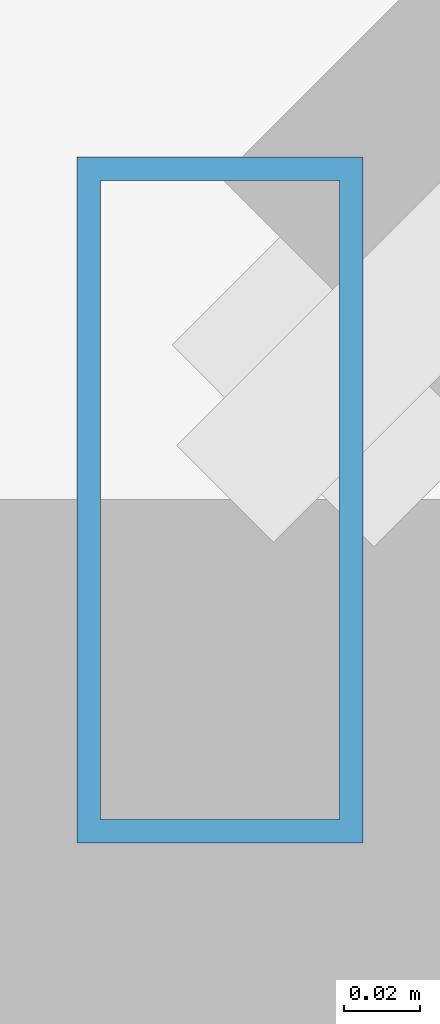
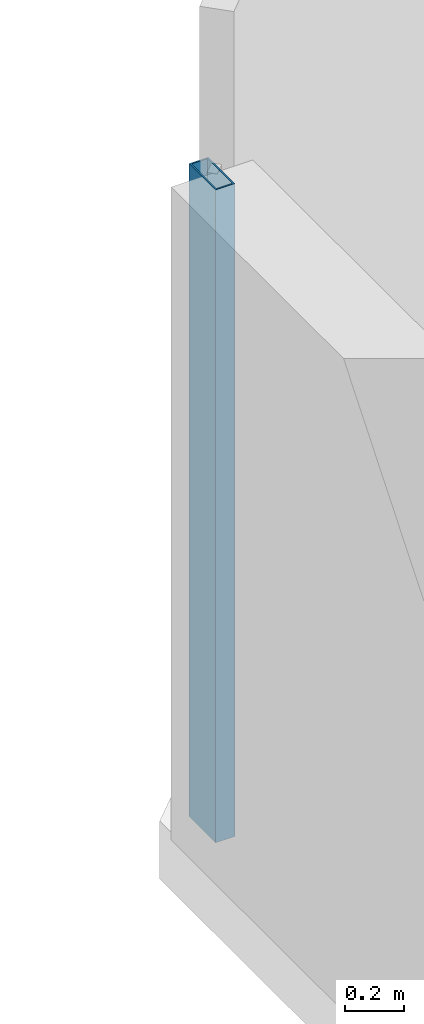
# One storey, part 13 of 35: 1 member, 1 element without a shape of its own.
"""IFC4 building model written with IfcOpenShell, lengths in metres."""

from ifc_helpers import new_model, si_unit, direction, frame, origin, origin_2d, place, context, subcontext, project, spatial, hollow_rectangle, extrude, material, material_profile, profile_set, type_object, element, aggregate, save


model = new_model("IFC4")

# Units and contexts
model_context = context("Model", 3, precision=1e-05, world=origin(), true_north=direction((0.0, 1.0)))
body_context = subcontext(model_context, "Body", "Model", "MODEL_VIEW")
ifc_project = project(units=[si_unit("LENGTHUNIT", "METRE"), si_unit("AREAUNIT", "SQUARE_METRE"), si_unit("VOLUMEUNIT", "CUBIC_METRE"), si_unit("PLANEANGLEUNIT", "RADIAN"), si_unit("MASSUNIT", "GRAM", prefix="KILO")], contexts=[model_context])

# Site, building, storey
site_placement = place(None, origin())
site = spatial("IfcSite", under=ifc_project, at=site_placement, CompositionType="ELEMENT")
building_placement = place(site_placement, origin())
building = spatial("IfcBuilding", under=site, at=building_placement, Name="Thornwick Lancets Civic Towers", CompositionType="ELEMENT")
storey_placement = place(building_placement, frame((0.0, 0.0, 269.10009765625)))
storey = spatial("IfcBuildingStorey", under=building, at=storey_placement, Name="L72", CompositionType="ELEMENT", Elevation=269.10009765625)

# Curtain wall, member
ifc_material_1 = material(Name="High-zone chamfered-corner unitised glass curtain wall", Category="glass")
curtain_wall_type = type_object("IfcCurtainWallType", Name="CW_SYS_05", PredefinedType="NOTDEFINED", material=ifc_material_1)
curtain_wall_placement = place(storey_placement, origin())
curtain_wall = element("IfcCurtainWall", 1, at=curtain_wall_placement, inside=storey, type_object=curtain_wall_type, Name="L72 Curtain Wall CW-L72-B-E5", PredefinedType="NOTDEFINED")
ifc_material_2 = material(Name="Thermally broken bronze aluminium S355", Category="steel")
ifc_material_profile = material_profile(ifc_material_2, hollow_rectangle(XDim=0.074951171875, YDim=0.179931640625, WallThickness=0.006103515625, at=origin_2d()), Name="RHS 180x75x6")
ifc_profile_set = profile_set([ifc_material_profile], Name="Thermally broken bronze aluminium S355")
member_type = type_object("IfcMemberType", Name="CW_MUL_180", PredefinedType="MULLION", material=ifc_profile_set)
member_placement = place(storey_placement, frame((70.7373046875, 47.62939453125, 0.0), z_axis=(0.0, 0.0, 1.0), x_axis=(1.0, 0.0, 0.0)))
member = element("IfcMember", 2, at=member_placement, type_object=member_type, Name="CW-L72-B-E5 Mullion 1", PredefinedType="MULLION", context=body_context, shape_type="SweptSolid", body=[
    extrude(hollow_rectangle(XDim=0.074951171875, YDim=0.179931640625, WallThickness=0.006103515625, at=origin_2d()), origin(), (0.0, 0.0, 1.0), 2.699951171875),
])
aggregate(curtain_wall, [member])

save(model, "model.ifc")
